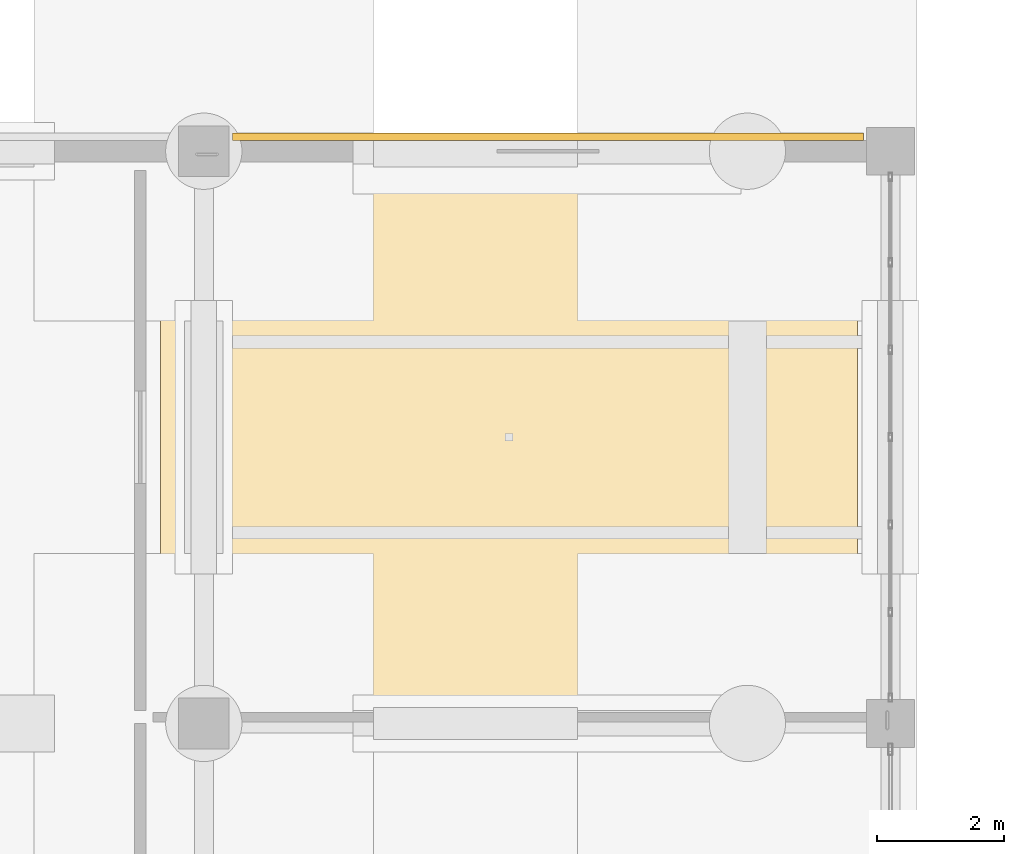
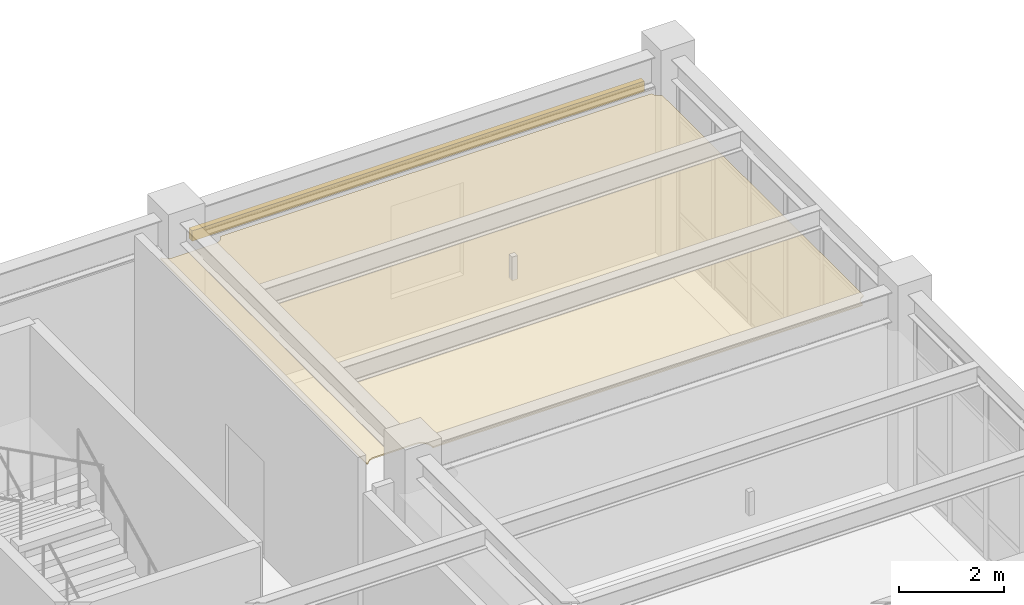
# One storey, part 95 of 98: 2 coverings.
"""IFC4 building model written with IfcOpenShell, lengths in metres."""

from ifc_helpers import new_model, si_unit, direction, frame, origin, origin_2d, place, context, subcontext, project, spatial, polyline, rectangle, outline, extrude, material, layer, layer_set, type_object, element, save


model = new_model("IFC4")

# Units and contexts
model_context = context("Model", 3, precision=1e-05, world=origin(), true_north=direction((0.0, 1.0)))
body_context = subcontext(model_context, "Body", "Model", "MODEL_VIEW")
ifc_project = project(units=[si_unit("LENGTHUNIT", "METRE"), si_unit("AREAUNIT", "SQUARE_METRE"), si_unit("VOLUMEUNIT", "CUBIC_METRE"), si_unit("PLANEANGLEUNIT", "RADIAN"), si_unit("MASSUNIT", "GRAM", prefix="KILO")], contexts=[model_context])

# Site, building, storey
site_placement = place(None, origin())
site = spatial("IfcSite", under=ifc_project, at=site_placement, CompositionType="ELEMENT")
building_placement = place(site_placement, origin())
building = spatial("IfcBuilding", under=site, at=building_placement, Name="Canglan Escarpment Cableway Terminal", CompositionType="ELEMENT")
storey_placement = place(building_placement, frame((0.0, 0.0, 9.60009765625)))
storey = spatial("IfcBuildingStorey", under=building, at=storey_placement, Name="L02", CompositionType="ELEMENT", Elevation=9.60009765625)

# Coverings
ifc_material_1 = material(Name="Moisture-resistant acoustic gypsum ceiling", Category="gypsum")
ifc_layer_1 = layer(ifc_material_1, 0.030029296875, Name="Moisture-resistant acoustic gypsum ceiling")
ifc_layer_set_1 = layer_set([ifc_layer_1], Name="Moisture-resistant acoustic gypsum ceiling")
covering_type_1 = type_object("IfcCoveringType", Name="COV-CEIL-GYPSUM-30", PredefinedType="CEILING", material=ifc_layer_set_1)
covering_1_placement = place(storey_placement, frame((0.0, 0.0, 3.971923828125)))
element("IfcCovering", 1, at=covering_1_placement, inside=storey, type_object=covering_type_1, Name="Gondola Bogie Overhaul Bay suspended acoustic ceiling", PredefinedType="CEILING", context=body_context, shape_type="SweptSolid", body=[
    extrude(outline(polyline([(125.219970703125, 78.407470703125), (125.22021484375, 78.4091796875), (125.220458984375, 78.411376953125), (125.220947265625, 78.4130859375), (125.221435546875, 78.4150390625), (125.222412109375, 78.416748046875), (125.223388671875, 78.41845703125), (125.224609375, 78.420166015625), (125.225830078125, 78.42138671875), (125.227294921875, 78.4228515625), (125.22900390625, 78.424072265625), (125.230712890625, 78.425048828125), (125.232421875, 78.42578125), (125.234130859375, 78.426513671875), (125.236083984375, 78.427001953125), (125.238037109375, 78.42724609375), (125.239990234375, 78.427490234375), (125.241943359375, 78.42724609375), (125.243896484375, 78.427001953125), (125.245849609375, 78.426513671875), (125.247802734375, 78.42578125), (125.24951171875, 78.425048828125), (125.251220703125, 78.424072265625), (125.252685546875, 78.4228515625), (125.254150390625, 78.42138671875), (125.255615234375, 78.420166015625), (125.256591796875, 78.41845703125), (125.25732421875, 78.41748046875), (125.26953125, 78.40087890625), (125.270263671875, 78.400146484375), (125.2841796875, 78.384765625), (125.284912109375, 78.384033203125), (125.300048828125, 78.370361328125), (125.30078125, 78.36962890625), (125.3173828125, 78.357421875), (125.318115234375, 78.356689453125), (125.3359375, 78.34619140625), (125.336669921875, 78.345703125), (125.35546875, 78.3369140625), (125.356201171875, 78.336669921875), (125.375732421875, 78.32958984375), (125.376708984375, 78.329345703125), (125.396484375, 78.32421875), (125.397705078125, 78.32421875), (125.41796875, 78.321044921875), (125.4189453125, 78.321044921875), (125.439697265625, 78.320068359375), (125.440185546875, 78.320068359375), (126.35986328125, 78.320068359375), (126.360107421875, 78.320068359375), (126.381103515625, 78.321044921875), (126.382080078125, 78.321044921875), (126.40234375, 78.32421875), (126.4033203125, 78.32421875), (126.42333984375, 78.329345703125), (126.42431640625, 78.32958984375), (126.443603515625, 78.336669921875), (126.444580078125, 78.3369140625), (126.46337890625, 78.345703125), (126.464111328125, 78.34619140625), (126.481689453125, 78.356689453125), (126.482666015625, 78.357421875), (126.499267578125, 78.36962890625), (126.5, 78.370361328125), (126.51513671875, 78.384033203125), (126.515869140625, 78.384765625), (126.52978515625, 78.400146484375), (126.530517578125, 78.40087890625), (126.54248046875, 78.41748046875), (126.543212890625, 78.418212890625), (126.5537109375, 78.435791015625), (126.55419921875, 78.436767578125), (126.56298828125, 78.455322265625), (126.5634765625, 78.456298828125), (126.567138671875, 78.466796875), (126.56787109375, 78.468505859375), (126.56884765625, 78.47021484375), (126.56982421875, 78.4716796875), (126.571044921875, 78.47314453125), (126.572265625, 78.474609375), (126.57373046875, 78.475830078125), (126.5751953125, 78.476806640625), (126.576904296875, 78.477783203125), (126.57861328125, 78.478515625), (126.580322265625, 78.479248046875), (126.582275390625, 78.4794921875), (126.583984375, 78.47998046875), (126.5859375, 78.47998046875), (136.013916015625, 78.47998046875), (136.01611328125, 78.47998046875), (136.01806640625, 78.4794921875), (136.02001953125, 78.47900390625), (136.02197265625, 78.478271484375), (136.023681640625, 78.477294921875), (136.025390625, 78.476318359375), (136.027099609375, 78.47509765625), (136.028564453125, 78.4736328125), (136.02978515625, 78.47216796875), (136.031005859375, 78.470458984375), (136.031982421875, 78.468505859375), (136.03271484375, 78.466796875), (136.03662109375, 78.456298828125), (136.037109375, 78.455322265625), (136.0458984375, 78.436767578125), (136.046142578125, 78.435791015625), (136.056884765625, 78.418212890625), (136.057373046875, 78.41748046875), (136.069580078125, 78.40087890625), (136.0703125, 78.400146484375), (136.083984375, 78.384765625), (136.084716796875, 78.384033203125), (136.10009765625, 78.370361328125), (136.100830078125, 78.36962890625), (136.117431640625, 78.357421875), (136.1181640625, 78.356689453125), (136.135986328125, 78.34619140625), (136.13671875, 78.345703125), (136.155517578125, 78.3369140625), (136.15625, 78.336669921875), (136.166748046875, 78.332763671875), (136.16845703125, 78.33203125), (136.170166015625, 78.331298828125), (136.171630859375, 78.330078125), (136.173095703125, 78.3291015625), (136.174560546875, 78.32763671875), (136.17578125, 78.326416015625), (136.177001953125, 78.32470703125), (136.177734375, 78.322998046875), (136.1787109375, 78.3212890625), (136.17919921875, 78.319580078125), (136.1796875, 78.31787109375), (136.179931640625, 78.31591796875), (136.179931640625, 78.31396484375), (136.179931640625, 70.68603515625), (136.179931640625, 70.68408203125), (136.1796875, 70.68212890625), (136.17919921875, 70.680419921875), (136.1787109375, 70.6787109375), (136.177734375, 70.677001953125), (136.177001953125, 70.67529296875), (136.17578125, 70.673583984375), (136.174560546875, 70.67236328125), (136.173095703125, 70.6708984375), (136.171630859375, 70.669921875), (136.170166015625, 70.668701171875), (136.16845703125, 70.66796875), (136.166748046875, 70.667236328125), (136.15625, 70.663330078125), (136.155517578125, 70.6630859375), (136.13671875, 70.654296875), (136.135986328125, 70.65380859375), (136.1181640625, 70.643310546875), (136.117431640625, 70.642578125), (136.100830078125, 70.63037109375), (136.10009765625, 70.629638671875), (136.084716796875, 70.615966796875), (136.083984375, 70.615234375), (136.0703125, 70.599853515625), (136.069580078125, 70.59912109375), (136.057373046875, 70.58251953125), (136.056884765625, 70.581787109375), (136.046142578125, 70.564208984375), (136.0458984375, 70.563232421875), (136.037109375, 70.544677734375), (136.03662109375, 70.543701171875), (136.029541015625, 70.5244140625), (136.029296875, 70.5234375), (136.0244140625, 70.50341796875), (136.024169921875, 70.50244140625), (136.02099609375, 70.48193359375), (136.02099609375, 70.481201171875), (136.02001953125, 70.460205078125), (136.02001953125, 70.459716796875), (136.02001953125, 70.43994140625), (136.02001953125, 70.43798828125), (136.01953125, 70.43603515625), (136.01904296875, 70.43408203125), (136.0185546875, 70.432373046875), (136.017578125, 70.4306640625), (136.0166015625, 70.428955078125), (136.015380859375, 70.42724609375), (136.01416015625, 70.42578125), (136.0126953125, 70.424560546875), (136.010986328125, 70.42333984375), (136.009521484375, 70.42236328125), (136.0078125, 70.42138671875), (136.005859375, 70.4208984375), (136.00390625, 70.42041015625), (136.001953125, 70.420166015625), (136.0, 70.419921875), (126.60009765625, 70.419921875), (126.597900390625, 70.420166015625), (126.59619140625, 70.42041015625), (126.59423828125, 70.4208984375), (126.59228515625, 70.42138671875), (126.590576171875, 70.42236328125), (126.5888671875, 70.42333984375), (126.58740234375, 70.424560546875), (126.5859375, 70.42578125), (126.58447265625, 70.42724609375), (126.58349609375, 70.428955078125), (126.58251953125, 70.4306640625), (126.58154296875, 70.432373046875), (126.580810546875, 70.43408203125), (126.580322265625, 70.43603515625), (126.580078125, 70.43798828125), (126.580078125, 70.43994140625), (126.580078125, 70.459716796875), (126.580078125, 70.460205078125), (126.5791015625, 70.481201171875), (126.578857421875, 70.48193359375), (126.57568359375, 70.50244140625), (126.57568359375, 70.50341796875), (126.570556640625, 70.5234375), (126.5703125, 70.5244140625), (126.5634765625, 70.543701171875), (126.56298828125, 70.544677734375), (126.55419921875, 70.563232421875), (126.5537109375, 70.564208984375), (126.543212890625, 70.581787109375), (126.54248046875, 70.58251953125), (126.530517578125, 70.59912109375), (126.52978515625, 70.599853515625), (126.515869140625, 70.615234375), (126.51513671875, 70.615966796875), (126.5, 70.629638671875), (126.499267578125, 70.63037109375), (126.482666015625, 70.642578125), (126.481689453125, 70.643310546875), (126.464111328125, 70.65380859375), (126.46337890625, 70.654296875), (126.444580078125, 70.6630859375), (126.443603515625, 70.663330078125), (126.42431640625, 70.67041015625), (126.42333984375, 70.670654296875), (126.4033203125, 70.67578125), (126.40234375, 70.67578125), (126.382080078125, 70.678955078125), (126.381103515625, 70.678955078125), (126.360107421875, 70.679931640625), (126.35986328125, 70.679931640625), (125.440185546875, 70.679931640625), (125.439697265625, 70.679931640625), (125.4189453125, 70.678955078125), (125.41796875, 70.678955078125), (125.397705078125, 70.67578125), (125.396484375, 70.67578125), (125.376708984375, 70.670654296875), (125.375732421875, 70.67041015625), (125.356201171875, 70.663330078125), (125.35546875, 70.6630859375), (125.336669921875, 70.654296875), (125.3359375, 70.65380859375), (125.318115234375, 70.643310546875), (125.3173828125, 70.642578125), (125.30078125, 70.63037109375), (125.300048828125, 70.629638671875), (125.284912109375, 70.615966796875), (125.2841796875, 70.615234375), (125.270263671875, 70.599853515625), (125.26953125, 70.59912109375), (125.25732421875, 70.58251953125), (125.256591796875, 70.58154296875), (125.255615234375, 70.579833984375), (125.254150390625, 70.57861328125), (125.252685546875, 70.5771484375), (125.251220703125, 70.575927734375), (125.24951171875, 70.574951171875), (125.247802734375, 70.57421875), (125.245849609375, 70.573486328125), (125.243896484375, 70.572998046875), (125.241943359375, 70.57275390625), (125.239990234375, 70.572509765625), (125.238037109375, 70.57275390625), (125.236083984375, 70.572998046875), (125.234130859375, 70.573486328125), (125.232421875, 70.57421875), (125.230712890625, 70.574951171875), (125.22900390625, 70.575927734375), (125.227294921875, 70.5771484375), (125.225830078125, 70.57861328125), (125.224609375, 70.579833984375), (125.223388671875, 70.58154296875), (125.222412109375, 70.583251953125), (125.221435546875, 70.5849609375), (125.220947265625, 70.5869140625), (125.220458984375, 70.588623046875), (125.22021484375, 70.5908203125), (125.219970703125, 70.592529296875), (125.219970703125, 78.407470703125)])), origin(), (0.0, 0.0, 1.0), 0.030029296875),
])
ifc_material_2 = material(Name="Carved classical limestone cornice", Category="masonry")
ifc_layer_2 = layer(ifc_material_2, 0.1201171875, Name="Carved classical limestone cornice")
ifc_layer_set_2 = layer_set([ifc_layer_2], Name="Carved classical limestone cornice")
covering_type_2 = type_object("IfcCoveringType", Name="COV-CORNICE-STONE", PredefinedType="CLADDING", material=ifc_layer_set_2)
covering_2_placement = place(storey_placement, frame((131.3125, 79.22998046875, 3.544921875), z_axis=(0.0, 0.0, 1.0), x_axis=(-1.0, 0.0, 0.0)))
element("IfcCovering", 2, at=covering_2_placement, inside=storey, type_object=covering_type_2, Name="Classical carved limestone cornice CL-01", PredefinedType="CLADDING", context=body_context, shape_type="SweptSolid", body=[
    extrude(rectangle(XDim=9.925048828125, YDim=0.1201171875, at=origin_2d()), origin(), (0.0, 0.0, 1.0), 0.239990234375),
])

save(model, "model.ifc")
